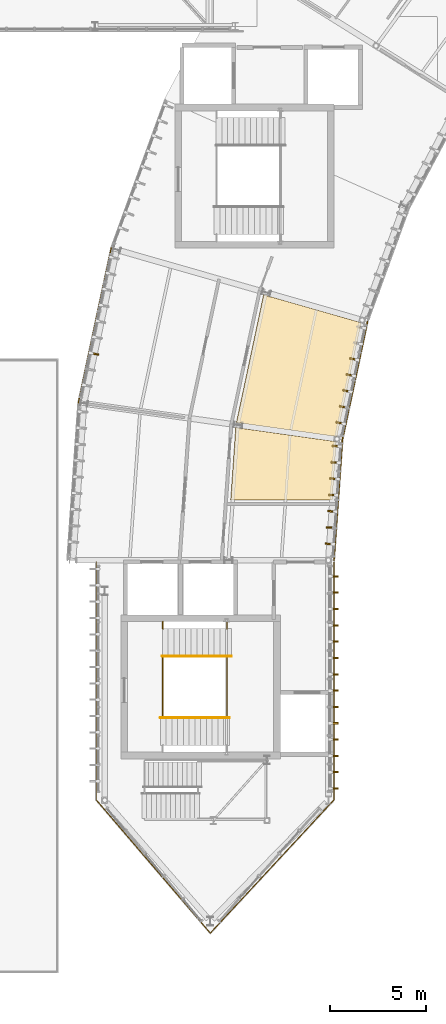
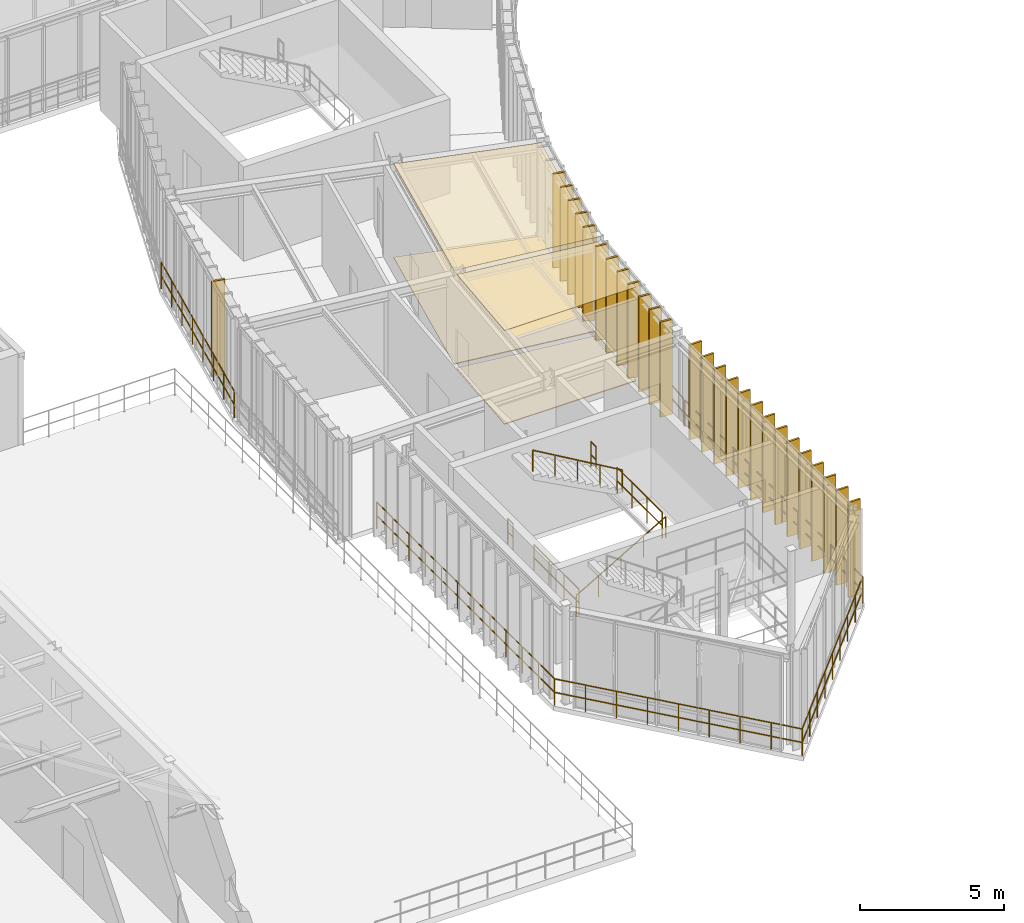
# One storey, part 47 of 52: 31 coverings, 10 railings.
"""IFC4 building model written with IfcOpenShell, lengths in metres."""

from ifc_helpers import new_model, si_unit, direction, frame, origin, origin_2d, place, context, subcontext, project, spatial, polyline, rectangle, circle, outline, extrude, material, layer, layer_set, type_object, element, save


model = new_model("IFC4")

# Units and contexts
model_context = context("Model", 3, precision=1e-05, world=origin(), true_north=direction((0.0, 1.0)))
body_context = subcontext(model_context, "Body", "Model", "MODEL_VIEW")
ifc_project = project(units=[si_unit("LENGTHUNIT", "METRE"), si_unit("AREAUNIT", "SQUARE_METRE"), si_unit("VOLUMEUNIT", "CUBIC_METRE"), si_unit("PLANEANGLEUNIT", "RADIAN"), si_unit("MASSUNIT", "GRAM", prefix="KILO"), si_unit("THERMODYNAMICTEMPERATUREUNIT", "KELVIN"), si_unit("POWERUNIT", "WATT")], contexts=[model_context])

# Site, building, storey
site_placement = place(None, origin())
site = spatial("IfcSite", under=ifc_project, at=site_placement, CompositionType="ELEMENT")
building_placement = place(site_placement, origin())
building = spatial("IfcBuilding", under=site, at=building_placement, Name="Solvatero Civic Police Headquarters", CompositionType="ELEMENT")
storey_placement = place(building_placement, frame((0.0, 0.0, 13.5)))
storey = spatial("IfcBuildingStorey", under=building, at=storey_placement, Name="L03", CompositionType="ELEMENT", Elevation=13.5)

# Coverings
ifc_material_1 = material(Name="Mineral-Fibre Acoustic Tile", Category="gypsum")
ifc_layer_1 = layer(ifc_material_1, 0.02490234375)
ifc_layer_set_1 = layer_set([ifc_layer_1], Name="Mineral-Fibre Acoustic Tile")
covering_type_1 = type_object("IfcCoveringType", Name="COV-CEIL-AC", PredefinedType="CEILING", material=ifc_layer_set_1)
covering_1_placement = place(storey_placement, frame((0.0, 0.0, 3.97509765625)))
element("IfcCovering", 1, at=covering_1_placement, inside=storey, type_object=covering_type_1, Name="Acoustic Ceiling Cybercrime Financial Tracing Unit Bay 11", PredefinedType="CEILING", context=body_context, shape_type="SweptSolid", body=[
    extrude(outline(polyline([(49.09619140625, 32.431884765625), (43.8583984375, 33.168212890625), (45.2734375, 39.826416015625), (50.358154296875, 38.368408203125), (49.09619140625, 32.431884765625)])), origin(), (0.0, 0.0, 1.0), 0.02490234375),
])
covering_2_placement = place(storey_placement, frame((0.0, 0.0, 3.97509765625)))
element("IfcCovering", 2, at=covering_2_placement, inside=storey, type_object=covering_type_1, Name="Acoustic Ceiling Cybercrime Financial Tracing Unit Bay 12", PredefinedType="CEILING", context=body_context, shape_type="SweptSolid", body=[
    extrude(outline(polyline([(48.8486328125, 29.1298828125), (43.55908203125, 29.1298828125), (43.823486328125, 32.910400390625), (49.0615234375, 32.17431640625), (48.8486328125, 29.1298828125)])), origin(), (0.0, 0.0, 1.0), 0.02490234375),
])
ifc_material_2 = material(Name="Anodized Bronze Aluminium", Category="aluminium")
ifc_layer_2 = layer(ifc_material_2, 0.080078125)
ifc_layer_set_2 = layer_set([ifc_layer_2], Name="Anodized Bronze Aluminium")
covering_type_2 = type_object("IfcCoveringType", Name="COV-FIN-480", PredefinedType="CLADDING", material=ifc_layer_set_2)
for number, where, z_axis, x_axis, name in (
    (3, (36.451171875, 36.751220703125, -0.02001953125), (0.0, 0.0, 1.0), (-0.207928762682, -0.978143971841, 0.0), "Vertical Brise-Soleil Fin 0724"),
    (4, (49.993896484375, 36.465087890625, -0.02001953125), (0.0, 0.0, 1.0), (-0.207911690818, -0.978147600734, 0.0), "Vertical Brise-Soleil Fin 0729"),
    (5, (49.8173828125, 35.633544921875, -0.02001953125), (0.0, 0.0, 1.0), (-0.207911690818, -0.978147600734, 0.0), "Vertical Brise-Soleil Fin 0730"),
    (6, (49.640625, 34.802001953125, -0.02001953125), (0.0, 0.0, 1.0), (-0.207911690818, -0.978147600734, 0.0), "Vertical Brise-Soleil Fin 0731"),
    (7, (49.4638671875, 33.970703125, -0.02001953125), (0.0, 0.0, 1.0), (-0.207911690818, -0.978147600734, 0.0), "Vertical Brise-Soleil Fin 0732"),
    (8, (49.287109375, 33.139404296875, -0.02001953125), (0.0, 0.0, 1.0), (-0.207911690818, -0.978147600734, 0.0), "Vertical Brise-Soleil Fin 0733"),
    (9, (49.08447265625, 31.9345703125, -0.02001953125), (0.0, 0.0, 1.0), (-0.069756473744, -0.99756405026, 0.0), "Vertical Brise-Soleil Fin 0743"),
    (10, (49.025146484375, 31.086669921875, -0.02001953125), (0.0, 0.0, 1.0), (-0.069756473744, -0.99756405026, 0.0), "Vertical Brise-Soleil Fin 0744"),
    (11, (48.9658203125, 30.23876953125, -0.02001953125), (0.0, 0.0, 1.0), (-0.069756473744, -0.99756405026, 0.0), "Vertical Brise-Soleil Fin 0745"),
    (12, (48.906494140625, 29.390625, -0.02001953125), (0.0, 0.0, 1.0), (-0.069756473744, -0.99756405026, 0.0), "Vertical Brise-Soleil Fin 0746"),
    (13, (48.847412109375, 28.542724609375, -0.02001953125), (0.0, 0.0, 1.0), (-0.069756473744, -0.99756405026, 0.0), "Vertical Brise-Soleil Fin 0747"),
    (14, (48.7880859375, 27.69482421875, -0.02001953125), (0.0, 0.0, 1.0), (-0.069756473744, -0.99756405026, 0.0), "Vertical Brise-Soleil Fin 0748"),
    (15, (48.728759765625, 26.846923828125, -0.02001953125), (0.0, 0.0, 1.0), (-0.069756473744, -0.99756405026, 0.0), "Vertical Brise-Soleil Fin 0749"),
    (16, (48.929931640625, 14.110107421875, -0.02001953125), (0.0, 0.0, 1.0), (0.0, 1.0, 0.0), "Vertical Brise-Soleil Fin 0764"),
    (17, (48.929931640625, 14.9599609375, -0.02001953125), (0.0, 0.0, 1.0), (0.0, 1.0, 0.0), "Vertical Brise-Soleil Fin 0765"),
    (18, (48.929931640625, 15.81005859375, -0.02001953125), (0.0, 0.0, 1.0), (0.0, 1.0, 0.0), "Vertical Brise-Soleil Fin 0766"),
    (19, (48.929931640625, 16.659912109375, -0.02001953125), (0.0, 0.0, 1.0), (0.0, 1.0, 0.0), "Vertical Brise-Soleil Fin 0767"),
    (20, (48.929931640625, 17.510009765625, -0.02001953125), (0.0, 0.0, 1.0), (0.0, 1.0, 0.0), "Vertical Brise-Soleil Fin 0768"),
    (21, (48.929931640625, 18.360107421875, -0.02001953125), (0.0, 0.0, 1.0), (0.0, 1.0, 0.0), "Vertical Brise-Soleil Fin 0769"),
    (22, (48.929931640625, 19.2099609375, -0.02001953125), (0.0, 0.0, 1.0), (0.0, 1.0, 0.0), "Vertical Brise-Soleil Fin 0770"),
    (23, (48.929931640625, 20.06005859375, -0.02001953125), (0.0, 0.0, 1.0), (0.0, 1.0, 0.0), "Vertical Brise-Soleil Fin 0771"),
    (24, (48.929931640625, 20.909912109375, -0.02001953125), (0.0, 0.0, 1.0), (0.0, 1.0, 0.0), "Vertical Brise-Soleil Fin 0772"),
    (25, (48.929931640625, 21.760009765625, -0.02001953125), (0.0, 0.0, 1.0), (0.0, 1.0, 0.0), "Vertical Brise-Soleil Fin 0773"),
    (26, (48.929931640625, 22.610107421875, -0.02001953125), (0.0, 0.0, 1.0), (0.0, 1.0, 0.0), "Vertical Brise-Soleil Fin 0774"),
    (27, (48.929931640625, 23.4599609375, -0.02001953125), (0.0, 0.0, 1.0), (0.0, 1.0, 0.0), "Vertical Brise-Soleil Fin 0775"),
    (28, (48.929931640625, 24.31005859375, -0.02001953125), (0.0, 0.0, 1.0), (0.0, 1.0, 0.0), "Vertical Brise-Soleil Fin 0776"),
    (29, (48.929931640625, 25.159912109375, -0.02001953125), (0.0, 0.0, 1.0), (0.0, 1.0, 0.0), "Vertical Brise-Soleil Fin 0777"),
):
    element("IfcCovering", number, at=place(storey_placement, frame(where, z_axis=z_axis, x_axis=x_axis)), inside=storey, type_object=covering_type_2, Name=name, PredefinedType="CLADDING", context=body_context, shape_type="SweptSolid", body=[
        extrude(rectangle(XDim=0.080078125, YDim=0.47998046875, at=origin_2d()), origin(), (0.0, 0.0, 1.0), 4.0400390625),
    ])
ifc_material_3 = material(Name="Venetian Terrazzo Stone", Category="masonry")
ifc_layer_3 = layer(ifc_material_3, 0.034912109375)
ifc_layer_set_3 = layer_set([ifc_layer_3], Name="Venetian Terrazzo Stone")
covering_type_3 = type_object("IfcCoveringType", Name="COV-FLR-TER", PredefinedType="FLOORING", material=ifc_layer_set_3)
covering_3_placement = place(storey_placement, origin())
element("IfcCovering", 30, at=covering_3_placement, inside=storey, type_object=covering_type_3, Name="Flooring Cybercrime Financial Tracing Unit Bay 11", PredefinedType="FLOORING", context=body_context, shape_type="SweptSolid", body=[
    extrude(outline(polyline([(49.09619140625, 32.431884765625), (43.8583984375, 33.168212890625), (45.2734375, 39.826416015625), (50.358154296875, 38.368408203125), (49.09619140625, 32.431884765625)])), origin(), (0.0, 0.0, 1.0), 0.034912109375),
])
covering_4_placement = place(storey_placement, origin())
element("IfcCovering", 31, at=covering_4_placement, inside=storey, type_object=covering_type_3, Name="Flooring Cybercrime Financial Tracing Unit Bay 12", PredefinedType="FLOORING", context=body_context, shape_type="SweptSolid", body=[
    extrude(outline(polyline([(48.8486328125, 29.1298828125), (43.55908203125, 29.1298828125), (43.823486328125, 32.910400390625), (49.0615234375, 32.17431640625), (48.8486328125, 29.1298828125)])), origin(), (0.0, 0.0, 1.0), 0.034912109375),
])

# Railings
ifc_material_4 = material(Name="Anodized Bronze and Laminated Glass", Category="glass")
railing_type_1 = type_object("IfcRailingType", Name="RL-BAL-115", PredefinedType="BALUSTRADE", material=ifc_material_4)
railing_1_placement = place(storey_placement, frame((36.56005859375, 25.89990234375, 0.0)))
element("IfcRailing", 32, at=railing_1_placement, inside=storey, type_object=railing_type_1, Name="Glazed Facade Sill Balustrade RL-L03-PROW-PERIM", PredefinedType="BALUSTRADE", context=body_context, shape_type="SweptSolid", body=[
    extrude(circle(Radius=0.02392578125, at=origin_2d()), frame((0.0, 0.0, 1.1259765625), z_axis=(0.0, -1.0, 0.0), x_axis=(1.0, 0.0, 0.0)), (0.0, 0.0, 1.0), 12.3798828125),
    extrude(circle(Radius=0.02392578125, at=origin_2d()), frame((0.0, 0.0, 0.55078125), z_axis=(0.0, -1.0, 0.0), x_axis=(1.0, 0.0, 0.0)), (0.0, 0.0, 1.0), 12.3798828125),
    extrude(circle(Radius=0.02392578125, at=origin_2d()), frame((0.0, -12.3798828125, 1.1259765625), z_axis=(0.65024976551, -0.759720502852, 0.0), x_axis=(0.759720502852, 0.65024976551, 0.0)), (0.0, 0.0, 1.0), 9.134765625),
    extrude(circle(Radius=0.02392578125, at=origin_2d()), frame((0.0, -12.3798828125, 0.55078125), z_axis=(0.65024976551, -0.759720502852, 0.0), x_axis=(0.759720502852, 0.65024976551, 0.0)), (0.0, 0.0, 1.0), 9.134765625),
    extrude(circle(Radius=0.02392578125, at=origin_2d()), frame((5.93994140625, -19.31982421875, 1.1259765625), z_axis=(0.680207746239, 0.733019387163, 0.0), x_axis=(-0.733019387163, 0.680207746239, 0.0)), (0.0, 0.0, 1.0), 9.467529296875),
    extrude(circle(Radius=0.02392578125, at=origin_2d()), frame((5.93994140625, -19.31982421875, 0.55078125), z_axis=(0.680207746239, 0.733019387163, 0.0), x_axis=(-0.733019387163, 0.680207746239, 0.0)), (0.0, 0.0, 1.0), 9.467529296875),
    extrude(circle(Radius=0.02392578125, at=origin_2d()), frame((12.3798828125, -12.3798828125, 1.1259765625), z_axis=(0.0, 1.0, 0.0), x_axis=(-1.0, 0.0, 0.0)), (0.0, 0.0, 1.0), 12.3798828125),
    extrude(circle(Radius=0.02392578125, at=origin_2d()), frame((12.3798828125, -12.3798828125, 0.55078125), z_axis=(0.0, 1.0, 0.0), x_axis=(-1.0, 0.0, 0.0)), (0.0, 0.0, 1.0), 12.3798828125),
    extrude(circle(Radius=0.02099609375, at=origin_2d()), origin(), (0.0, 0.0, 1.0), 1.101806640625),
    extrude(circle(Radius=0.02099609375, at=origin_2d()), frame((0.0, -1.12548828125, 0.0)), (0.0, 0.0, 1.0), 1.101806640625),
    extrude(circle(Radius=0.02099609375, at=origin_2d()), frame((0.0, -2.2509765625, 0.0)), (0.0, 0.0, 1.0), 1.101806640625),
    extrude(circle(Radius=0.02099609375, at=origin_2d()), frame((0.0, -3.376220703125, 0.0)), (0.0, 0.0, 1.0), 1.101806640625),
    extrude(circle(Radius=0.02099609375, at=origin_2d()), frame((0.0, -4.501708984375, 0.0)), (0.0, 0.0, 1.0), 1.101806640625),
    extrude(circle(Radius=0.02099609375, at=origin_2d()), frame((0.0, -5.627197265625, 0.0)), (0.0, 0.0, 1.0), 1.101806640625),
    extrude(circle(Radius=0.02099609375, at=origin_2d()), frame((0.0, -6.752685546875, 0.0)), (0.0, 0.0, 1.0), 1.101806640625),
    extrude(circle(Radius=0.02099609375, at=origin_2d()), frame((0.0, -7.878173828125, 0.0)), (0.0, 0.0, 1.0), 1.101806640625),
    extrude(circle(Radius=0.02099609375, at=origin_2d()), frame((0.0, -9.003662109375, 0.0)), (0.0, 0.0, 1.0), 1.101806640625),
    extrude(circle(Radius=0.02099609375, at=origin_2d()), frame((0.0, -10.12890625, 0.0)), (0.0, 0.0, 1.0), 1.101806640625),
    extrude(circle(Radius=0.02099609375, at=origin_2d()), frame((0.0, -11.25439453125, 0.0)), (0.0, 0.0, 1.0), 1.101806640625),
    extrude(circle(Radius=0.02099609375, at=origin_2d()), frame((0.0, -12.3798828125, 0.0)), (0.0, 0.0, 1.0), 1.101806640625),
    extrude(circle(Radius=0.02099609375, at=origin_2d()), frame((0.742431640625, -13.247314453125, 0.0)), (0.0, 0.0, 1.0), 1.101806640625),
    extrude(circle(Radius=0.02099609375, at=origin_2d()), frame((1.48486328125, -14.11474609375, 0.0)), (0.0, 0.0, 1.0), 1.101806640625),
    extrude(circle(Radius=0.02099609375, at=origin_2d()), frame((2.2275390625, -14.982421875, 0.0)), (0.0, 0.0, 1.0), 1.101806640625),
    extrude(circle(Radius=0.02099609375, at=origin_2d()), frame((2.969970703125, -15.849853515625, 0.0)), (0.0, 0.0, 1.0), 1.101806640625),
    extrude(circle(Radius=0.02099609375, at=origin_2d()), frame((3.71240234375, -16.71728515625, 0.0)), (0.0, 0.0, 1.0), 1.101806640625),
    extrude(circle(Radius=0.02099609375, at=origin_2d()), frame((4.455078125, -17.5849609375, 0.0)), (0.0, 0.0, 1.0), 1.101806640625),
    extrude(circle(Radius=0.02099609375, at=origin_2d()), frame((5.197509765625, -18.452392578125, 0.0)), (0.0, 0.0, 1.0), 1.101806640625),
    extrude(circle(Radius=0.02099609375, at=origin_2d()), frame((5.93994140625, -19.31982421875, 0.0)), (0.0, 0.0, 1.0), 1.101806640625),
    extrude(circle(Radius=0.02099609375, at=origin_2d()), frame((6.744873046875, -18.452392578125, 0.0)), (0.0, 0.0, 1.0), 1.101806640625),
    extrude(circle(Radius=0.02099609375, at=origin_2d()), frame((7.5498046875, -17.5849609375, 0.0)), (0.0, 0.0, 1.0), 1.101806640625),
    extrude(circle(Radius=0.02099609375, at=origin_2d()), frame((8.35498046875, -16.71728515625, 0.0)), (0.0, 0.0, 1.0), 1.101806640625),
    extrude(circle(Radius=0.02099609375, at=origin_2d()), frame((9.159912109375, -15.849853515625, 0.0)), (0.0, 0.0, 1.0), 1.101806640625),
    extrude(circle(Radius=0.02099609375, at=origin_2d()), frame((9.96484375, -14.982421875, 0.0)), (0.0, 0.0, 1.0), 1.101806640625),
    extrude(circle(Radius=0.02099609375, at=origin_2d()), frame((10.77001953125, -14.11474609375, 0.0)), (0.0, 0.0, 1.0), 1.101806640625),
    extrude(circle(Radius=0.02099609375, at=origin_2d()), frame((11.574951171875, -13.247314453125, 0.0)), (0.0, 0.0, 1.0), 1.101806640625),
    extrude(circle(Radius=0.02099609375, at=origin_2d()), frame((12.3798828125, -12.3798828125, 0.0)), (0.0, 0.0, 1.0), 1.101806640625),
    extrude(circle(Radius=0.02099609375, at=origin_2d()), frame((12.3798828125, -11.25439453125, 0.0)), (0.0, 0.0, 1.0), 1.101806640625),
    extrude(circle(Radius=0.02099609375, at=origin_2d()), frame((12.3798828125, -10.12890625, 0.0)), (0.0, 0.0, 1.0), 1.101806640625),
    extrude(circle(Radius=0.02099609375, at=origin_2d()), frame((12.3798828125, -9.003662109375, 0.0)), (0.0, 0.0, 1.0), 1.101806640625),
    extrude(circle(Radius=0.02099609375, at=origin_2d()), frame((12.3798828125, -7.878173828125, 0.0)), (0.0, 0.0, 1.0), 1.101806640625),
    extrude(circle(Radius=0.02099609375, at=origin_2d()), frame((12.3798828125, -6.752685546875, 0.0)), (0.0, 0.0, 1.0), 1.101806640625),
    extrude(circle(Radius=0.02099609375, at=origin_2d()), frame((12.3798828125, -5.627197265625, 0.0)), (0.0, 0.0, 1.0), 1.101806640625),
    extrude(circle(Radius=0.02099609375, at=origin_2d()), frame((12.3798828125, -4.501708984375, 0.0)), (0.0, 0.0, 1.0), 1.101806640625),
    extrude(circle(Radius=0.02099609375, at=origin_2d()), frame((12.3798828125, -3.376220703125, 0.0)), (0.0, 0.0, 1.0), 1.101806640625),
    extrude(circle(Radius=0.02099609375, at=origin_2d()), frame((12.3798828125, -2.2509765625, 0.0)), (0.0, 0.0, 1.0), 1.101806640625),
    extrude(circle(Radius=0.02099609375, at=origin_2d()), frame((12.3798828125, -1.12548828125, 0.0)), (0.0, 0.0, 1.0), 1.101806640625),
    extrude(circle(Radius=0.02099609375, at=origin_2d()), frame((12.3798828125, 0.0, 0.0)), (0.0, 0.0, 1.0), 1.101806640625),
])
railing_2_placement = place(storey_placement, frame((50.685546875, 38.420166015625, 0.0)))
element("IfcRailing", 33, at=railing_2_placement, inside=storey, type_object=railing_type_1, Name="Glazed Facade Sill Balustrade RL-L03-ARCIN-B11", PredefinedType="BALUSTRADE", context=body_context, shape_type="SweptSolid", body=[
    extrude(circle(Radius=0.02392578125, at=origin_2d()), frame((0.0, 0.0, 1.1259765625), z_axis=(-0.207924245306, -0.978144932111, 0.0), x_axis=(0.978144932111, -0.207924245306, 0.0)), (0.0, 0.0, 1.0), 6.28662109375),
    extrude(circle(Radius=0.02392578125, at=origin_2d()), frame((0.0, 0.0, 0.55078125), z_axis=(-0.207924245306, -0.978144932111, 0.0), x_axis=(0.978144932111, -0.207924245306, 0.0)), (0.0, 0.0, 1.0), 6.28662109375),
    extrude(circle(Radius=0.02099609375, at=origin_2d()), origin(), (0.0, 0.0, 1.0), 1.101806640625),
    extrude(circle(Radius=0.02099609375, at=origin_2d()), frame((-0.2177734375, -1.02490234375, 0.0)), (0.0, 0.0, 1.0), 1.101806640625),
    extrude(circle(Radius=0.02099609375, at=origin_2d()), frame((-0.435791015625, -2.0498046875, 0.0)), (0.0, 0.0, 1.0), 1.101806640625),
    extrude(circle(Radius=0.02099609375, at=origin_2d()), frame((-0.653564453125, -3.07470703125, 0.0)), (0.0, 0.0, 1.0), 1.101806640625),
    extrude(circle(Radius=0.02099609375, at=origin_2d()), frame((-0.871337890625, -4.099365234375, 0.0)), (0.0, 0.0, 1.0), 1.101806640625),
    extrude(circle(Radius=0.02099609375, at=origin_2d()), frame((-1.08935546875, -5.124267578125, 0.0)), (0.0, 0.0, 1.0), 1.101806640625),
    extrude(circle(Radius=0.02099609375, at=origin_2d()), frame((-1.30712890625, -6.149169921875, 0.0)), (0.0, 0.0, 1.0), 1.101806640625),
])
railing_3_placement = place(storey_placement, frame((37.34326171875, 42.24609375, 0.0)))
element("IfcRailing", 34, at=railing_3_placement, inside=storey, type_object=railing_type_1, Name="Glazed Facade Sill Balustrade RL-L03-ARCOUT-B11", PredefinedType="BALUSTRADE", context=body_context, shape_type="SweptSolid", body=[
    extrude(circle(Radius=0.02392578125, at=origin_2d()), frame((0.0, 0.0, 1.1259765625), z_axis=(-0.207920896775, -0.978145643902, 0.0), x_axis=(0.978145643902, -0.207920896775, 0.0)), (0.0, 0.0, 1.0), 8.222900390625),
    extrude(circle(Radius=0.02392578125, at=origin_2d()), frame((0.0, 0.0, 0.55078125), z_axis=(-0.207920896775, -0.978145643902, 0.0), x_axis=(0.978145643902, -0.207920896775, 0.0)), (0.0, 0.0, 1.0), 8.222900390625),
    extrude(circle(Radius=0.02099609375, at=origin_2d()), origin(), (0.0, 0.0, 1.0), 1.101806640625),
    extrude(circle(Radius=0.02099609375, at=origin_2d()), frame((-0.244140625, -1.14892578125, 0.0)), (0.0, 0.0, 1.0), 1.101806640625),
    extrude(circle(Radius=0.02099609375, at=origin_2d()), frame((-0.488525390625, -2.298095703125, 0.0)), (0.0, 0.0, 1.0), 1.101806640625),
    extrude(circle(Radius=0.02099609375, at=origin_2d()), frame((-0.732666015625, -3.447021484375, 0.0)), (0.0, 0.0, 1.0), 1.101806640625),
    extrude(circle(Radius=0.02099609375, at=origin_2d()), frame((-0.97705078125, -4.59619140625, 0.0)), (0.0, 0.0, 1.0), 1.101806640625),
    extrude(circle(Radius=0.02099609375, at=origin_2d()), frame((-1.22119140625, -5.7451171875, 0.0)), (0.0, 0.0, 1.0), 1.101806640625),
    extrude(circle(Radius=0.02099609375, at=origin_2d()), frame((-1.465576171875, -6.894287109375, 0.0)), (0.0, 0.0, 1.0), 1.101806640625),
    extrude(circle(Radius=0.02099609375, at=origin_2d()), frame((-1.709716796875, -8.043212890625, 0.0)), (0.0, 0.0, 1.0), 1.101806640625),
])
railing_4_placement = place(storey_placement, frame((49.37841796875, 32.27099609375, 0.0)))
element("IfcRailing", 35, at=railing_4_placement, inside=storey, type_object=railing_type_1, Name="Glazed Facade Sill Balustrade RL-L03-ARCIN-B12", PredefinedType="BALUSTRADE", context=body_context, shape_type="SweptSolid", body=[
    extrude(circle(Radius=0.02392578125, at=origin_2d()), frame((0.0, 0.0, 1.1259765625), z_axis=(-0.069751059496, -0.997564428846, 0.0), x_axis=(0.997564428846, -0.069751059496, 0.0)), (0.0, 0.0, 1.0), 6.286376953125),
    extrude(circle(Radius=0.02392578125, at=origin_2d()), frame((0.0, 0.0, 0.55078125), z_axis=(-0.069751059496, -0.997564428846, 0.0), x_axis=(0.997564428846, -0.069751059496, 0.0)), (0.0, 0.0, 1.0), 6.286376953125),
    extrude(circle(Radius=0.02099609375, at=origin_2d()), origin(), (0.0, 0.0, 1.0), 1.101806640625),
    extrude(circle(Radius=0.02099609375, at=origin_2d()), frame((-0.072998046875, -1.045166015625, 0.0)), (0.0, 0.0, 1.0), 1.101806640625),
    extrude(circle(Radius=0.02099609375, at=origin_2d()), frame((-0.146240234375, -2.09033203125, 0.0)), (0.0, 0.0, 1.0), 1.101806640625),
    extrude(circle(Radius=0.02099609375, at=origin_2d()), frame((-0.21923828125, -3.135498046875, 0.0)), (0.0, 0.0, 1.0), 1.101806640625),
    extrude(circle(Radius=0.02099609375, at=origin_2d()), frame((-0.292236328125, -4.1806640625, 0.0)), (0.0, 0.0, 1.0), 1.101806640625),
    extrude(circle(Radius=0.02099609375, at=origin_2d()), frame((-0.365478515625, -5.225830078125, 0.0)), (0.0, 0.0, 1.0), 1.101806640625),
    extrude(circle(Radius=0.02099609375, at=origin_2d()), frame((-0.4384765625, -6.27099609375, 0.0)), (0.0, 0.0, 1.0), 1.101806640625),
])
ifc_material_5 = material(Name="Painted Galvanized Steel", Category="steel")
railing_type_2 = type_object("IfcRailingType", Name="RL-GRD-110", PredefinedType="GUARDRAIL", material=ifc_material_5)
railing_5_placement = place(storey_placement, frame((40.030029296875, 17.830078125, 0.0)))
element("IfcRailing", 36, at=railing_5_placement, inside=storey, type_object=railing_type_2, Name="ST-C1 L03 Floor Well Guardrail", PredefinedType="GUARDRAIL", context=body_context, shape_type="SweptSolid", body=[
    extrude(circle(Radius=0.02392578125, at=origin_2d()), frame((0.0, 0.0, 1.09619140625), z_axis=(0.0, 1.0, 0.0), x_axis=(-1.0, 0.0, 0.0)), (0.0, 0.0, 1.0), 3.139892578125),
    extrude(circle(Radius=0.02392578125, at=origin_2d()), frame((0.0, 0.0, 0.5361328125), z_axis=(0.0, 1.0, 0.0), x_axis=(-1.0, 0.0, 0.0)), (0.0, 0.0, 1.0), 3.139892578125),
    extrude(circle(Radius=0.02099609375, at=origin_2d()), origin(), (0.0, 0.0, 1.0), 1.072021484375),
    extrude(circle(Radius=0.02099609375, at=origin_2d()), frame((0.0, 1.046630859375, 0.0)), (0.0, 0.0, 1.0), 1.072021484375),
    extrude(circle(Radius=0.02099609375, at=origin_2d()), frame((0.0, 2.09326171875, 0.0)), (0.0, 0.0, 1.0), 1.072021484375),
    extrude(circle(Radius=0.02099609375, at=origin_2d()), frame((0.0, 3.139892578125, 0.0)), (0.0, 0.0, 1.0), 1.072021484375),
])
railing_6_placement = place(storey_placement, frame((40.030029296875, 22.429931640625, 0.0)))
element("IfcRailing", 37, at=railing_6_placement, inside=storey, type_object=railing_type_2, Name="ST-C1 L03 Floor Well North Slot Guardrail", PredefinedType="GUARDRAIL", context=body_context, shape_type="SweptSolid", body=[
    extrude(circle(Radius=0.02392578125, at=origin_2d()), frame((0.0, 0.0, 1.09619140625), z_axis=(0.0, 1.0, 0.0), x_axis=(-1.0, 0.0, 0.0)), (0.0, 0.0, 1.0), 0.360107421875),
    extrude(circle(Radius=0.02392578125, at=origin_2d()), frame((0.0, 0.0, 0.5361328125), z_axis=(0.0, 1.0, 0.0), x_axis=(-1.0, 0.0, 0.0)), (0.0, 0.0, 1.0), 0.360107421875),
    extrude(circle(Radius=0.02099609375, at=origin_2d()), origin(), (0.0, 0.0, 1.0), 1.072021484375),
    extrude(circle(Radius=0.02099609375, at=origin_2d()), frame((0.0, 0.360107421875, 0.0)), (0.0, 0.0, 1.0), 1.072021484375),
])
railing_7_placement = place(storey_placement, frame((43.3701171875, 17.830078125, 2.10009765625)))
element("IfcRailing", 38, at=railing_7_placement, inside=storey, type_object=railing_type_2, Name="ST-C1 L03 Half-Landing Well Guardrail", PredefinedType="GUARDRAIL", context=body_context, shape_type="SweptSolid", body=[
    extrude(circle(Radius=0.02392578125, at=origin_2d()), frame((0.0, 0.0, 1.09619140625), z_axis=(0.0, 1.0, 0.0), x_axis=(-1.0, 0.0, 0.0)), (0.0, 0.0, 1.0), 3.139892578125),
    extrude(circle(Radius=0.02392578125, at=origin_2d()), frame((0.0, 0.0, 0.5361328125), z_axis=(0.0, 1.0, 0.0), x_axis=(-1.0, 0.0, 0.0)), (0.0, 0.0, 1.0), 3.139892578125),
    extrude(circle(Radius=0.02099609375, at=origin_2d()), origin(), (0.0, 0.0, 1.0), 1.072021484375),
    extrude(circle(Radius=0.02099609375, at=origin_2d()), frame((0.0, 1.046630859375, 0.0)), (0.0, 0.0, 1.0), 1.072021484375),
    extrude(circle(Radius=0.02099609375, at=origin_2d()), frame((0.0, 2.09326171875, 0.0)), (0.0, 0.0, 1.0), 1.072021484375),
    extrude(circle(Radius=0.02099609375, at=origin_2d()), frame((0.0, 3.139892578125, 0.0)), (0.0, 0.0, 1.0), 1.072021484375),
])
railing_8_placement = place(storey_placement, frame((43.3701171875, 22.429931640625, 2.10009765625)))
element("IfcRailing", 39, at=railing_8_placement, inside=storey, type_object=railing_type_2, Name="ST-C1 L03 Half-Landing North Slot Guardrail", PredefinedType="GUARDRAIL", context=body_context, shape_type="SweptSolid", body=[
    extrude(circle(Radius=0.02392578125, at=origin_2d()), frame((0.0, 0.0, 1.09619140625), z_axis=(0.0, 1.0, 0.0), x_axis=(-1.0, 0.0, 0.0)), (0.0, 0.0, 1.0), 0.360107421875),
    extrude(circle(Radius=0.02392578125, at=origin_2d()), frame((0.0, 0.0, 0.5361328125), z_axis=(0.0, 1.0, 0.0), x_axis=(-1.0, 0.0, 0.0)), (0.0, 0.0, 1.0), 0.360107421875),
    extrude(circle(Radius=0.02099609375, at=origin_2d()), origin(), (0.0, 0.0, 1.0), 1.072021484375),
    extrude(circle(Radius=0.02099609375, at=origin_2d()), frame((0.0, 0.360107421875, 0.0)), (0.0, 0.0, 1.0), 1.072021484375),
])
ifc_material_6 = material(Name="Brushed Stainless Steel", Category="steel")
railing_type_3 = type_object("IfcRailingType", Name="RL-HND-092", PredefinedType="HANDRAIL", material=ifc_material_6)
railing_9_placement = place(storey_placement, frame((39.89990234375, 17.800048828125, 0.0)))
element("IfcRailing", 40, at=railing_9_placement, inside=storey, type_object=railing_type_3, Name="ST-C1 L03 Flight 1 Handrail", PredefinedType="HANDRAIL", context=body_context, shape_type="SweptSolid", body=[
    extrude(circle(Radius=0.02392578125, at=origin_2d()), frame((0.0, 0.0, 0.89599609375), z_axis=(0.863774651768, 0.0, 0.503878309678), x_axis=(0.0, 1.0, 0.0)), (0.0, 0.0, 1.0), 4.16796875),
    extrude(circle(Radius=0.02099609375, at=origin_2d()), origin(), (0.0, 0.0, 1.0), 0.871826171875),
    extrude(circle(Radius=0.02099609375, at=origin_2d()), frame((0.89990234375, 0.0, 0.52490234375)), (0.0, 0.0, 1.0), 0.871826171875),
    extrude(circle(Radius=0.02099609375, at=origin_2d()), frame((1.800048828125, 0.0, 1.050048828125)), (0.0, 0.0, 1.0), 0.871826171875),
    extrude(circle(Radius=0.02099609375, at=origin_2d()), frame((2.7001953125, 0.0, 1.5751953125)), (0.0, 0.0, 1.0), 0.871826171875),
    extrude(circle(Radius=0.02099609375, at=origin_2d()), frame((3.60009765625, 0.0, 2.10009765625)), (0.0, 0.0, 1.0), 0.871826171875),
])
railing_10_placement = place(storey_placement, frame((43.60009765625, 21.0, 2.10009765625)))
element("IfcRailing", 41, at=railing_10_placement, inside=storey, type_object=railing_type_3, Name="ST-C1 L03 Flight 2 Handrail", PredefinedType="HANDRAIL", context=body_context, shape_type="SweptSolid", body=[
    extrude(circle(Radius=0.02392578125, at=origin_2d()), frame((0.0, 0.0, 0.89599609375), z_axis=(-0.863800146258, 0.0, 0.503834603144), x_axis=(0.0, -1.0, 0.0)), (0.0, 0.0, 1.0), 4.167724609375),
    extrude(circle(Radius=0.02099609375, at=origin_2d()), origin(), (0.0, 0.0, 1.0), 0.871826171875),
    extrude(circle(Radius=0.02099609375, at=origin_2d()), frame((-0.89990234375, 0.0, 0.52490234375)), (0.0, 0.0, 1.0), 0.871826171875),
    extrude(circle(Radius=0.02099609375, at=origin_2d()), frame((-1.800048828125, 0.0, 1.0498046875)), (0.0, 0.0, 1.0), 0.871826171875),
    extrude(circle(Radius=0.02099609375, at=origin_2d()), frame((-2.7001953125, 0.0, 1.574951171875)), (0.0, 0.0, 1.0), 0.871826171875),
    extrude(circle(Radius=0.02099609375, at=origin_2d()), frame((-3.60009765625, 0.0, 2.099853515625)), (0.0, 0.0, 1.0), 0.871826171875),
])

save(model, "model.ifc")
